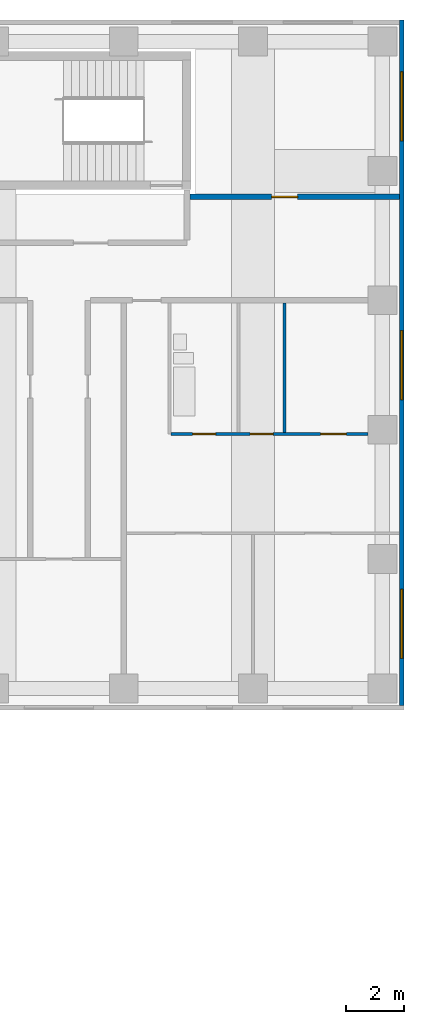
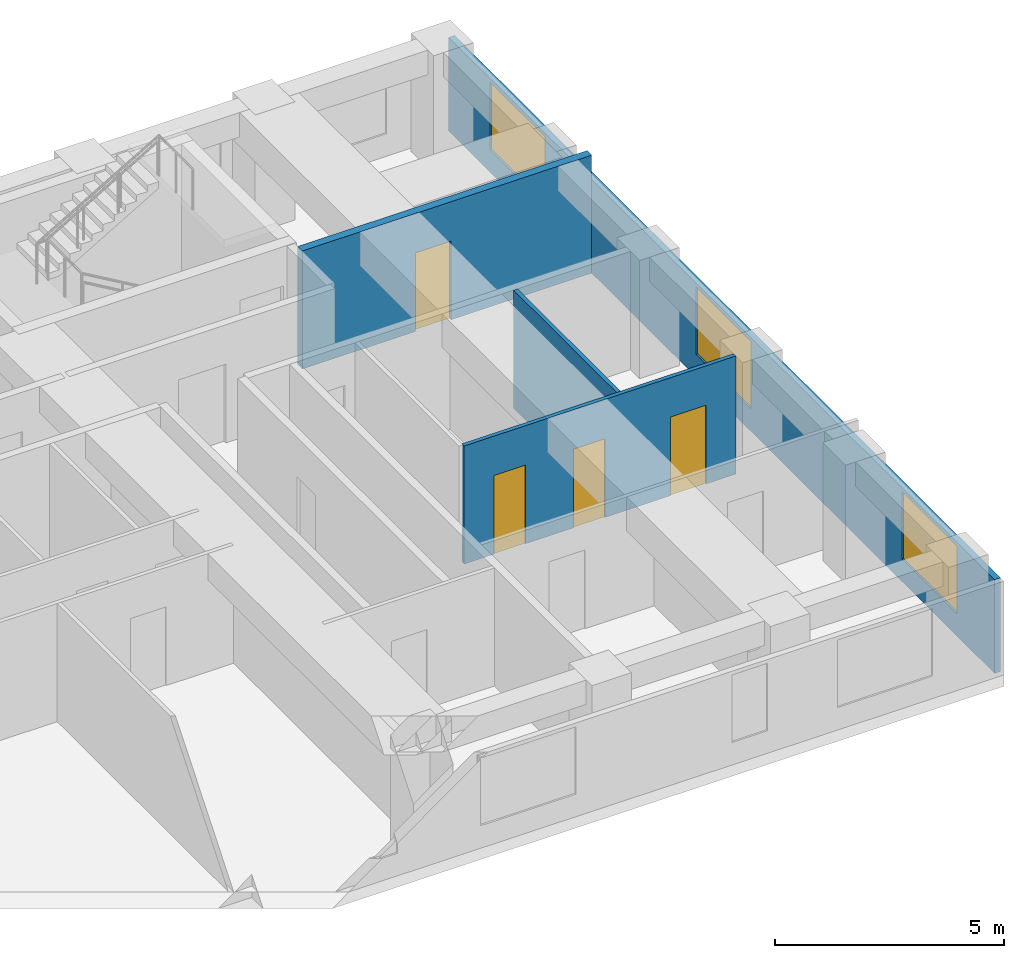
# One storey, part 9 of 12: 4 doors, 4 walls, 3 windows, 7 openings.
"""IFC4 building model written with IfcOpenShell, lengths in metres."""

from ifc_helpers import new_model, si_unit, direction, frame, frame_2d, origin, place, context, subcontext, project, spatial, rectangle, extrude, material, layer, layer_set, type_object, element, fill, save


model = new_model("IFC4")

# Units and contexts
model_context = context("Model", 3, precision=1e-05, world=origin(), true_north=direction((0.0, 1.0)))
body_context = subcontext(model_context, "Body", "Model", "MODEL_VIEW")
ifc_project = project(units=[si_unit("LENGTHUNIT", "METRE"), si_unit("AREAUNIT", "SQUARE_METRE"), si_unit("VOLUMEUNIT", "CUBIC_METRE"), si_unit("PLANEANGLEUNIT", "RADIAN"), si_unit("MASSUNIT", "GRAM", prefix="KILO")], contexts=[model_context])

# Site, building, storey
site_placement = place(None, origin())
site = spatial("IfcSite", under=ifc_project, at=site_placement, CompositionType="ELEMENT")
building_placement = place(site_placement, origin())
building = spatial("IfcBuilding", under=site, at=building_placement, Name="Firuza Court", CompositionType="ELEMENT")
storey_placement = place(building_placement, frame((0.0, 0.0, 170.0)))
storey = spatial("IfcBuildingStorey", under=building, at=storey_placement, Name="L43", CompositionType="ELEMENT", Elevation=170.0)

# Wall, opening, door
ifc_material_1 = material(Name="Blockwork, plastered both sides", Category="masonry")
ifc_layer_1 = layer(ifc_material_1, 0.199951171875)
ifc_layer_set_1 = layer_set([ifc_layer_1], Name="Blockwork, plastered both sides")
wall_type_1 = type_object("IfcWallType", Name="Corridor wall 200", PredefinedType="PARTITIONING", material=ifc_layer_set_1)
wall_1_placement = place(storey_placement, frame((60.800048828125, 53.10009765625, 0.0), z_axis=(0.0, 0.0, 1.0), x_axis=(1.0, 0.0, 0.0)))
wall_1 = element("IfcWall", 1, at=wall_1_placement, inside=storey, type_object=wall_type_1, Name="Corridor wall 200 L43", PredefinedType="PARTITIONING", context=body_context, shape_type="SweptSolid", body=[
    extrude(rectangle(XDim=7.300048828125, YDim=0.199951171875, at=frame_2d((3.64990234375, 0.0))), origin(), (0.0, 0.0, 1.0), 3.14990234375),
])
opening_1_placement = place(wall_1_placement, frame((2.85009765625, 0.0, 0.0)))
opening_1 = element("IfcOpeningElement", 2, at=opening_1_placement, cuts=wall_1, Name="Opening D43077", PredefinedType="OPENING", context=body_context, shape_type="SweptSolid", body=[
    extrude(rectangle(XDim=0.89990234375, YDim=2.10009765625, at=frame_2d((0.449951171875, 1.050048828125))), frame((0.0, 0.11181640625, 0.0), z_axis=(0.0, -1.0, 0.0), x_axis=(1.0, 0.0, 0.0)), (0.0, 0.0, 1.0), 0.223876953125),
])
ifc_material_2 = material(Name="Timber door leaf in hardwood frame", Category="wood")
door_type_1 = type_object("IfcDoorType", Name="Room door 900 EI 30", OperationType="SINGLE_SWING_LEFT", PredefinedType="DOOR", material=ifc_material_2)
door_1_placement = place(opening_1_placement, origin())
door_1 = element("IfcDoor", 3, at=door_1_placement, inside=storey, type_object=door_type_1, Name="Meeting room door", OperationType="SINGLE_SWING_LEFT", OverallHeight=2.10009765625, OverallWidth=0.89990234375, PredefinedType="DOOR", context=body_context, shape_type="SweptSolid", body=[
    extrude(rectangle(XDim=0.89990234375, YDim=2.10009765625, at=frame_2d((0.449951171875, 1.050048828125))), frame((0.0, 0.02490234375, 0.0), z_axis=(0.0, -1.0, 0.0), x_axis=(1.0, 0.0, 0.0)), (0.0, 0.0, 1.0), 0.050048828125),
])
fill(opening_1, door_1)

# Wall, openings, doors
ifc_material_3 = material(Name="Timber stud partition, plasterboard both sides", Category="wood")
ifc_layer_2 = layer(ifc_material_3, 0.10009765625)
ifc_layer_set_2 = layer_set([ifc_layer_2], Name="Timber stud partition, plasterboard both sides")
wall_type_2 = type_object("IfcWallType", Name="Partition wall 100", PredefinedType="PARTITIONING", material=ifc_layer_set_2)
wall_2_placement = place(storey_placement, frame((60.14990234375, 44.85009765625, 0.0), z_axis=(0.0, 0.0, 1.0), x_axis=(1.0, 0.0, 0.0)))
wall_2 = element("IfcWall", 4, at=wall_2_placement, inside=storey, type_object=wall_type_2, Name="Partition wall 100 L43", PredefinedType="PARTITIONING", context=body_context, shape_type="SweptSolid", body=[
    extrude(rectangle(XDim=6.85009765625, YDim=0.10009765625, at=frame_2d((3.425048828125, 0.0))), origin(), (0.0, 0.0, 1.0), 3.14990234375),
])
opening_2_placement = place(wall_2_placement, frame((0.75, 0.0, 0.0)))
opening_2 = element("IfcOpeningElement", 5, at=opening_2_placement, cuts=wall_2, Name="Opening D43061", PredefinedType="OPENING", context=body_context, shape_type="SweptSolid", body=[
    extrude(rectangle(XDim=0.800048828125, YDim=2.10009765625, at=frame_2d((0.39990234375, 1.050048828125))), frame((0.0, 0.06201171875, 0.0), z_axis=(0.0, -1.0, 0.0), x_axis=(1.0, 0.0, 0.0)), (0.0, 0.0, 1.0), 0.1240234375),
])
opening_3_placement = place(wall_2_placement, frame((5.199951171875, 0.0, 0.0)))
opening_3 = element("IfcOpeningElement", 6, at=opening_3_placement, cuts=wall_2, Name="Opening D43062", PredefinedType="OPENING", context=body_context, shape_type="SweptSolid", body=[
    extrude(rectangle(XDim=0.89990234375, YDim=2.10009765625, at=frame_2d((0.449951171875, 1.050048828125))), frame((0.0, 0.06201171875, 0.0), z_axis=(0.0, -1.0, 0.0), x_axis=(1.0, 0.0, 0.0)), (0.0, 0.0, 1.0), 0.1240234375),
])
opening_4_placement = place(wall_2_placement, frame((2.75, 0.0, 0.0)))
opening_4 = element("IfcOpeningElement", 7, at=opening_4_placement, cuts=wall_2, Name="Opening D43063", PredefinedType="OPENING", context=body_context, shape_type="SweptSolid", body=[
    extrude(rectangle(XDim=0.800048828125, YDim=2.10009765625, at=frame_2d((0.39990234375, 1.050048828125))), frame((0.0, 0.06201171875, 0.0), z_axis=(0.0, -1.0, 0.0), x_axis=(1.0, 0.0, 0.0)), (0.0, 0.0, 1.0), 0.1240234375),
])
ifc_material_4 = material(Name="Timber door leaf in hardwood frame", Category="wood")
door_type_2 = type_object("IfcDoorType", Name="Bathroom door 800", OperationType="SINGLE_SWING_LEFT", PredefinedType="DOOR", material=ifc_material_4)
door_2_placement = place(opening_2_placement, origin())
door_2 = element("IfcDoor", 8, at=door_2_placement, inside=storey, type_object=door_type_2, Name="Bathroom door", OperationType="SINGLE_SWING_LEFT", OverallHeight=2.10009765625, OverallWidth=0.800048828125, PredefinedType="DOOR", context=body_context, shape_type="SweptSolid", body=[
    extrude(rectangle(XDim=0.800048828125, YDim=2.10009765625, at=frame_2d((0.39990234375, 1.050048828125))), frame((0.0, 0.02490234375, 0.0), z_axis=(0.0, -1.0, 0.0), x_axis=(1.0, 0.0, 0.0)), (0.0, 0.0, 1.0), 0.050048828125),
])
fill(opening_2, door_2)
ifc_material_5 = material(Name="Timber door leaf in hardwood frame", Category="wood")
door_type_3 = type_object("IfcDoorType", Name="Room door 800", OperationType="SINGLE_SWING_LEFT", PredefinedType="DOOR", material=ifc_material_5)
door_3_placement = place(opening_4_placement, origin())
door_3 = element("IfcDoor", 9, at=door_3_placement, inside=storey, type_object=door_type_3, Name="Store door", OperationType="SINGLE_SWING_LEFT", OverallHeight=2.10009765625, OverallWidth=0.800048828125, PredefinedType="DOOR", context=body_context, shape_type="SweptSolid", body=[
    extrude(rectangle(XDim=0.800048828125, YDim=2.10009765625, at=frame_2d((0.39990234375, 1.050048828125))), frame((0.0, 0.02490234375, 0.0), z_axis=(0.0, -1.0, 0.0), x_axis=(1.0, 0.0, 0.0)), (0.0, 0.0, 1.0), 0.050048828125),
])
fill(opening_4, door_3)
ifc_material_6 = material(Name="Timber door leaf in hardwood frame", Category="wood")
door_type_4 = type_object("IfcDoorType", Name="Room door 900", OperationType="SINGLE_SWING_LEFT", PredefinedType="DOOR", material=ifc_material_6)
door_4_placement = place(opening_3_placement, origin())
door_4 = element("IfcDoor", 10, at=door_4_placement, inside=storey, type_object=door_type_4, Name="Kitchen door", OperationType="SINGLE_SWING_RIGHT", OverallHeight=2.10009765625, OverallWidth=0.89990234375, PredefinedType="DOOR", context=body_context, shape_type="SweptSolid", body=[
    extrude(rectangle(XDim=0.89990234375, YDim=2.10009765625, at=frame_2d((0.449951171875, 1.050048828125))), frame((0.0, 0.02490234375, 0.0), z_axis=(0.0, -1.0, 0.0), x_axis=(1.0, 0.0, 0.0)), (0.0, 0.0, 1.0), 0.050048828125),
])
fill(opening_3, door_4)

# Wall
wall_3_placement = place(storey_placement, frame((64.10009765625, 44.89990234375, 0.0), z_axis=(0.0, 0.0, 1.0), x_axis=(0.0, 1.0, 0.0)))
element("IfcWall", 11, at=wall_3_placement, inside=storey, type_object=wall_type_2, Name="Partition wall 100 L43", PredefinedType="PARTITIONING", context=body_context, shape_type="SweptSolid", body=[
    extrude(rectangle(XDim=4.5, YDim=0.10009765625, at=frame_2d((2.25, 0.0))), origin(), (0.0, 0.0, 1.0), 3.14990234375),
])

# Wall, openings, windows
ifc_material_7 = material(Name="Ceramic tile", Category="ceramic")
ifc_layer_3 = layer(ifc_material_7, 0.02001953125)
ifc_material_8 = material(Name="Mineral wool insulation", Category="insulation")
ifc_layer_4 = layer(ifc_material_8, 0.050048828125)
ifc_material_9 = material(Name="Concrete C40/50 precast", Category="concrete")
ifc_layer_5 = layer(ifc_material_9, 0.080078125)
ifc_layer_set_3 = layer_set([ifc_layer_3, ifc_layer_4, ifc_layer_5], Name="Concrete C40/50 precast")
wall_type_3 = type_object("IfcWallType", Name="Precast cladding wall with turquoise TILE PANEL face 150", PredefinedType="STANDARD", material=ifc_layer_set_3)
wall_4_placement = place(storey_placement, frame((68.175048828125, 35.39990234375, 0.0), z_axis=(0.0, 0.0, 1.0), x_axis=(0.0, 1.0, 0.0)))
wall_4 = element("IfcWall", 12, at=wall_4_placement, inside=storey, type_object=wall_type_3, Name="Facade wall L43 E", PredefinedType="STANDARD", context=body_context, shape_type="SweptSolid", body=[
    extrude(rectangle(XDim=23.85009765625, YDim=0.14990234375, at=frame_2d((11.925048828125, 0.0))), origin(), (0.0, 0.0, 1.0), 2.5),
])
opening_5_placement = place(wall_4_placement, frame((1.64990234375, 0.0, 0.60009765625)))
opening_5 = element("IfcOpeningElement", 13, at=opening_5_placement, cuts=wall_4, Name="Opening W1", PredefinedType="OPENING", context=body_context, shape_type="SweptSolid", body=[
    extrude(rectangle(XDim=2.39990234375, YDim=1.800048828125, at=frame_2d((1.199951171875, 0.89990234375))), frame((0.0, 0.0869140625, 0.0), z_axis=(0.0, -1.0, 0.0), x_axis=(1.0, 0.0, 0.0)), (0.0, 0.0, 1.0), 0.173828125),
])
opening_6_placement = place(wall_4_placement, frame((10.64990234375, 0.0, 0.60009765625)))
opening_6 = element("IfcOpeningElement", 14, at=opening_6_placement, cuts=wall_4, Name="Opening W1", PredefinedType="OPENING", context=body_context, shape_type="SweptSolid", body=[
    extrude(rectangle(XDim=2.39990234375, YDim=1.800048828125, at=frame_2d((1.199951171875, 0.89990234375))), frame((0.0, 0.0869140625, 0.0), z_axis=(0.0, -1.0, 0.0), x_axis=(1.0, 0.0, 0.0)), (0.0, 0.0, 1.0), 0.173828125),
])
opening_7_placement = place(wall_4_placement, frame((19.64990234375, 0.0, 0.60009765625)))
opening_7 = element("IfcOpeningElement", 15, at=opening_7_placement, cuts=wall_4, Name="Opening W1", PredefinedType="OPENING", context=body_context, shape_type="SweptSolid", body=[
    extrude(rectangle(XDim=2.39990234375, YDim=1.800048828125, at=frame_2d((1.199951171875, 0.89990234375))), frame((0.0, 0.0869140625, 0.0), z_axis=(0.0, -1.0, 0.0), x_axis=(1.0, 0.0, 0.0)), (0.0, 0.0, 1.0), 0.173828125),
])
ifc_material_10 = material(Name="Aluminium frame, triple clear glazing", Category="aluminium")
window_type = type_object("IfcWindowType", Name="Window W1 2400 x 1800", PartitioningType="SINGLE_PANEL", PredefinedType="WINDOW", material=ifc_material_10)
window_1_placement = place(opening_5_placement, origin())
window_1 = element("IfcWindow", 16, at=window_1_placement, inside=storey, type_object=window_type, Name="Window L43", OverallHeight=1.800048828125, OverallWidth=2.39990234375, PartitioningType="SINGLE_PANEL", PredefinedType="WINDOW", context=body_context, shape_type="SweptSolid", body=[
    extrude(rectangle(XDim=2.39990234375, YDim=1.800048828125, at=frame_2d((1.199951171875, 0.89990234375))), frame((0.0, 0.030029296875, 0.0), z_axis=(0.0, -1.0, 0.0), x_axis=(1.0, 0.0, 0.0)), (0.0, 0.0, 1.0), 0.06005859375),
])
fill(opening_5, window_1)
window_2_placement = place(opening_6_placement, origin())
window_2 = element("IfcWindow", 17, at=window_2_placement, inside=storey, type_object=window_type, Name="Window L43", OverallHeight=1.800048828125, OverallWidth=2.39990234375, PartitioningType="SINGLE_PANEL", PredefinedType="WINDOW", context=body_context, shape_type="SweptSolid", body=[
    extrude(rectangle(XDim=2.39990234375, YDim=1.800048828125, at=frame_2d((1.199951171875, 0.89990234375))), frame((0.0, 0.030029296875, 0.0), z_axis=(0.0, -1.0, 0.0), x_axis=(1.0, 0.0, 0.0)), (0.0, 0.0, 1.0), 0.06005859375),
])
fill(opening_6, window_2)
window_3_placement = place(opening_7_placement, origin())
window_3 = element("IfcWindow", 18, at=window_3_placement, inside=storey, type_object=window_type, Name="Window L43", OverallHeight=1.800048828125, OverallWidth=2.39990234375, PartitioningType="SINGLE_PANEL", PredefinedType="WINDOW", context=body_context, shape_type="SweptSolid", body=[
    extrude(rectangle(XDim=2.39990234375, YDim=1.800048828125, at=frame_2d((1.199951171875, 0.89990234375))), frame((0.0, 0.030029296875, 0.0), z_axis=(0.0, -1.0, 0.0), x_axis=(1.0, 0.0, 0.0)), (0.0, 0.0, 1.0), 0.06005859375),
])
fill(opening_7, window_3)

save(model, "model.ifc")
